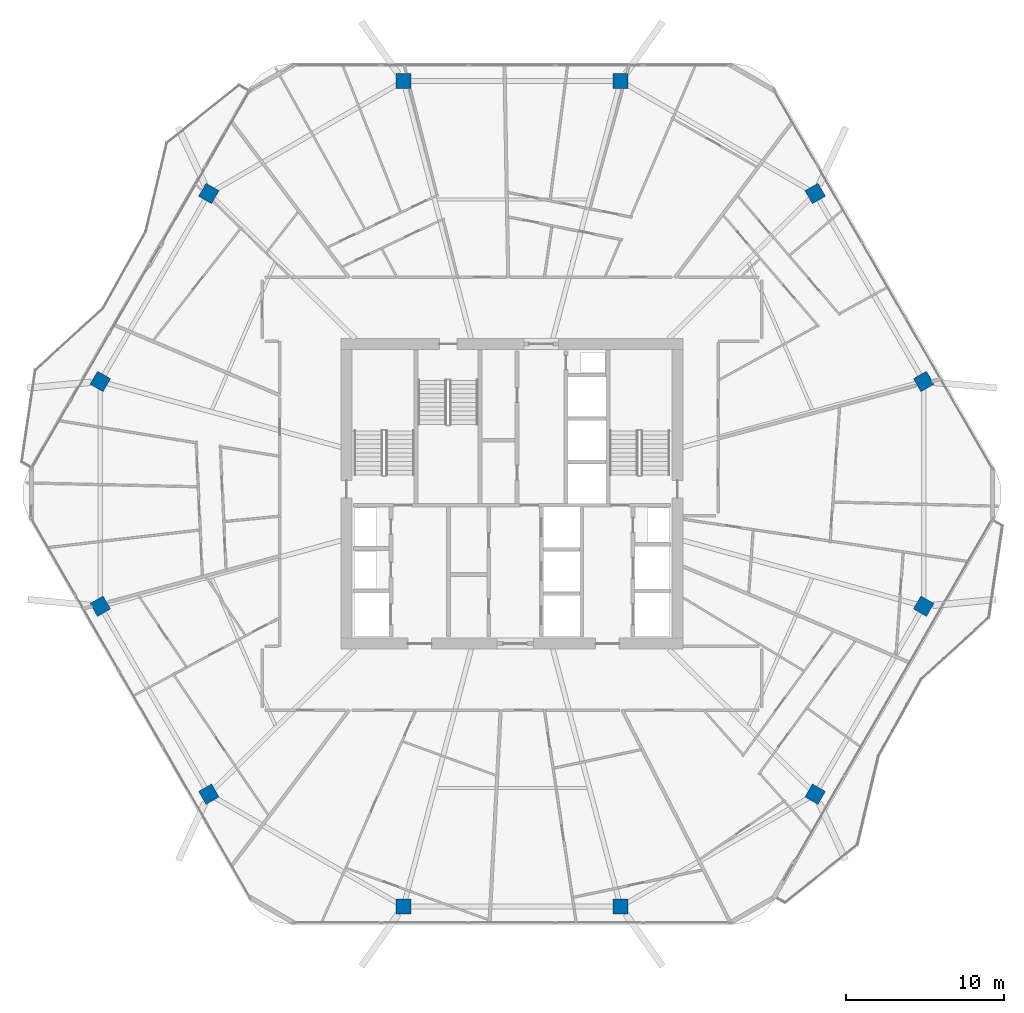
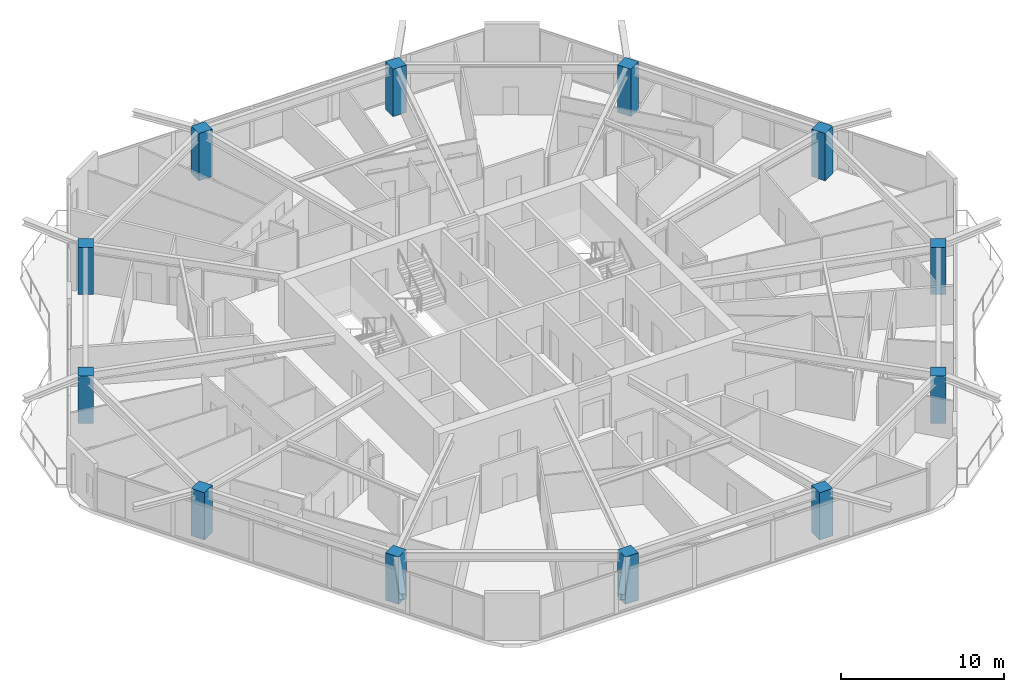
# One storey, part 1 of 27: 12 columns.
"""IFC4 building model written with IfcOpenShell, lengths in metres."""

from ifc_helpers import new_model, si_unit, direction, frame, origin, origin_2d, place, context, subcontext, project, spatial, rectangle, extrude, material, material_profile, profile_set, type_object, element, save


model = new_model("IFC4")

# Units and contexts
model_context = context("Model", 3, precision=1e-05, world=origin(), true_north=direction((0.0, 1.0)))
body_context = subcontext(model_context, "Body", "Model", "MODEL_VIEW")
ifc_project = project(units=[si_unit("LENGTHUNIT", "METRE"), si_unit("AREAUNIT", "SQUARE_METRE"), si_unit("VOLUMEUNIT", "CUBIC_METRE"), si_unit("PLANEANGLEUNIT", "RADIAN"), si_unit("MASSUNIT", "GRAM", prefix="KILO")], contexts=[model_context])

# Site, building, storey
site_placement = place(None, origin())
site = spatial("IfcSite", under=ifc_project, at=site_placement, CompositionType="ELEMENT")
building_placement = place(site_placement, origin())
building = spatial("IfcBuilding", under=site, at=building_placement, Name="Zuhravey Tower", CompositionType="ELEMENT")
storey_placement = place(building_placement, frame((0.0, 0.0, 188.39990234375)))
storey = spatial("IfcBuildingStorey", under=building, at=storey_placement, Name="L47", CompositionType="ELEMENT", Elevation=188.39990234375)

# Columns
ifc_material = material(Name="Concrete C50/60", Category="concrete")
ifc_material_profile = material_profile(ifc_material, rectangle(XDim=0.949951171875, YDim=0.949951171875, at=origin_2d()), Name="RC-950x950")
ifc_profile_set = profile_set([ifc_material_profile], Name="Concrete C50/60")
column_type = type_object("IfcColumnType", Name="Zone 2 Upper Column 950x950", PredefinedType="COLUMN", material=ifc_profile_set)
for number, where, z_axis, x_axis, name in (
    (1, (62.107666015625, 39.12646484375, 0.0), (0.0, 0.0, 1.0), (-0.5, 0.866025403784, 0.0), "L47 Perimeter Column PC01"),
    (2, (55.2255859375, 51.046630859375, 0.0), (0.0, 0.0, 1.0), (-0.5, 0.866025403784, 0.0), "L47 Perimeter Column PC02"),
    (3, (42.882080078125, 58.173095703125, 0.0), (0.0, 0.0, 1.0), (-1.0, 0.0, 0.0), "L47 Perimeter Column PC03"),
    (4, (29.117919921875, 58.173095703125, 0.0), (0.0, 0.0, 1.0), (-1.0, 0.0, 0.0), "L47 Perimeter Column PC04"),
    (5, (16.7744140625, 51.046630859375, 0.0), (0.0, 0.0, 1.0), (-0.5, -0.866025403784, 0.0), "L47 Perimeter Column PC05"),
    (6, (9.892333984375, 39.12646484375, 0.0), (0.0, 0.0, 1.0), (-0.5, -0.866025403784, 0.0), "L47 Perimeter Column PC06"),
    (7, (9.892333984375, 24.87353515625, 0.0), (0.0, 0.0, 1.0), (0.5, -0.866025403784, 0.0), "L47 Perimeter Column PC07"),
    (8, (16.7744140625, 12.953369140625, 0.0), (0.0, 0.0, 1.0), (0.5, -0.866025403784, 0.0), "L47 Perimeter Column PC08"),
    (9, (29.117919921875, 5.826904296875, 0.0), (0.0, 0.0, 1.0), (1.0, 0.0, 0.0), "L47 Perimeter Column PC09"),
    (10, (42.882080078125, 5.826904296875, 0.0), (0.0, 0.0, 1.0), (1.0, 0.0, 0.0), "L47 Perimeter Column PC10"),
    (11, (55.2255859375, 12.953369140625, 0.0), (0.0, 0.0, 1.0), (0.5, 0.866025403784, 0.0), "L47 Perimeter Column PC11"),
    (12, (62.107666015625, 24.87353515625, 0.0), (0.0, 0.0, 1.0), (0.5, 0.866025403784, 0.0), "L47 Perimeter Column PC12"),
):
    element("IfcColumn", number, at=place(storey_placement, frame(where, z_axis=z_axis, x_axis=x_axis)), inside=storey, type_object=column_type, Name=name, PredefinedType="COLUMN", context=body_context, shape_type="SweptSolid", body=[
        extrude(rectangle(XDim=0.949951171875, YDim=0.949951171875, at=origin_2d()), origin(), (0.0, 0.0, 1.0), 3.550048828125),
    ])

save(model, "model.ifc")
